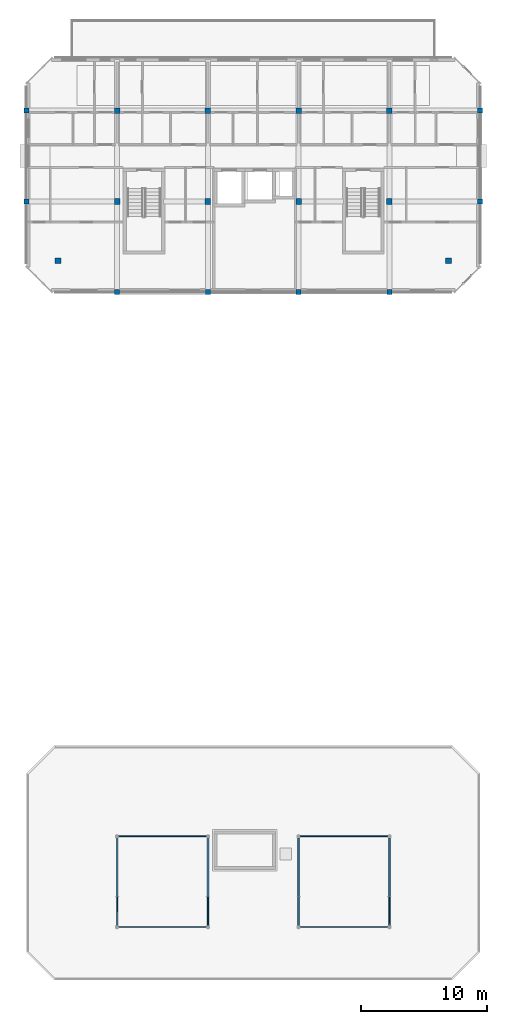
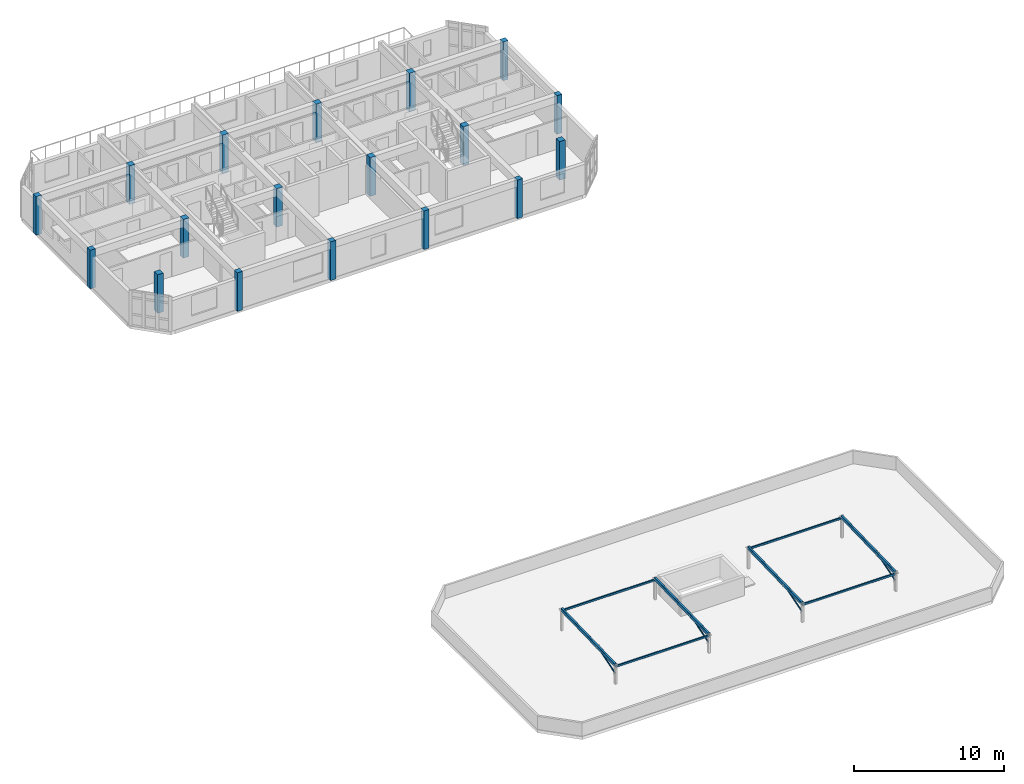
# One storey, part 3 of 16: 18 columns, 12 members.
"""IFC4 building model written with IfcOpenShell, lengths in metres."""

from ifc_helpers import new_model, si_unit, direction, frame, origin, origin_2d, place, context, subcontext, project, spatial, rectangle, hollow_rectangle, extrude, material, material_profile, profile_set, type_object, element, save


model = new_model("IFC4")

# Units and contexts
model_context = context("Model", 3, precision=1e-05, world=origin(), true_north=direction((0.0, 1.0)))
body_context = subcontext(model_context, "Body", "Model", "MODEL_VIEW")
ifc_project = project(units=[si_unit("LENGTHUNIT", "METRE"), si_unit("AREAUNIT", "SQUARE_METRE"), si_unit("VOLUMEUNIT", "CUBIC_METRE"), si_unit("PLANEANGLEUNIT", "RADIAN"), si_unit("MASSUNIT", "GRAM", prefix="KILO")], contexts=[model_context])

# Site, building, storey
site_placement = place(None, origin())
site = spatial("IfcSite", under=ifc_project, at=site_placement, CompositionType="ELEMENT")
building_placement = place(site_placement, origin())
building = spatial("IfcBuilding", under=site, at=building_placement, Name="Ochrevale Crest", CompositionType="ELEMENT")
storey_placement = place(building_placement, frame((0.0, 0.0, 46.5)))
storey = spatial("IfcBuildingStorey", under=building, at=storey_placement, Name="L14", CompositionType="ELEMENT", Elevation=46.5)

# Columns
ifc_material_1 = material(Name="Precast concrete C40/50", Category="concrete")
ifc_material_profile_1 = material_profile(ifc_material_1, rectangle(XDim=0.39990234375, YDim=0.39990234375, at=origin_2d()), Name="RC 400x400")
ifc_profile_set_1 = profile_set([ifc_material_profile_1], Name="Precast concrete C40/50")
column_type_1 = type_object("IfcColumnType", Name="COL-RC400x400", PredefinedType="COLUMN", material=ifc_profile_set_1)
for number, where, z_axis, x_axis, name in (
    (1, (129.60009765625, 79.199951171875, 0.0), (0.0, 0.0, 1.0), (1.0, 0.0, 0.0), "Block D L14 column (129.6,79.2)"),
    (2, (129.60009765625, 86.39990234375, 0.0), (0.0, 0.0, 1.0), (1.0, 0.0, 0.0), "Block D L14 column (129.6,86.4)"),
    (3, (136.800048828125, 72.0, 0.0), (0.0, 0.0, 1.0), (1.0, 0.0, 0.0), "Block D L14 column (136.8,72.0)"),
    (4, (144.0, 72.0, 0.0), (0.0, 0.0, 1.0), (1.0, 0.0, 0.0), "Block D L14 column (144.0,72.0)"),
    (5, (151.199951171875, 72.0, 0.0), (0.0, 0.0, 1.0), (1.0, 0.0, 0.0), "Block D L14 column (151.2,72.0)"),
    (6, (158.39990234375, 72.0, 0.0), (0.0, 0.0, 1.0), (1.0, 0.0, 0.0), "Block D L14 column (158.4,72.0)"),
    (7, (165.60009765625, 79.199951171875, 0.0), (0.0, 0.0, 1.0), (1.0, 0.0, 0.0), "Block D L14 column (165.6,79.2)"),
    (8, (165.60009765625, 86.39990234375, 0.0), (0.0, 0.0, 1.0), (1.0, 0.0, 0.0), "Block D L14 column (165.6,86.4)"),
):
    element("IfcColumn", number, at=place(storey_placement, frame(where, z_axis=z_axis, x_axis=x_axis)), inside=storey, type_object=column_type_1, Name=name, PredefinedType="COLUMN", context=body_context, shape_type="SweptSolid", body=[
        extrude(rectangle(XDim=0.39990234375, YDim=0.39990234375, at=origin_2d()), origin(), (0.0, 0.0, 1.0), 3.14990234375),
    ])
ifc_material_profile_2 = material_profile(ifc_material_1, rectangle(XDim=0.449951171875, YDim=0.449951171875, at=origin_2d()), Name="RC 450x450")
ifc_profile_set_2 = profile_set([ifc_material_profile_2], Name="Precast concrete C40/50")
column_type_2 = type_object("IfcColumnType", Name="COL-RC450x450", PredefinedType="COLUMN", material=ifc_profile_set_2)
for number, where, z_axis, x_axis, name in (
    (9, (132.10009765625, 74.5, 0.0), (0.0, 0.0, 1.0), (1.0, 0.0, 0.0), "Block D L14 column (132.1,74.5)"),
    (10, (136.800048828125, 79.199951171875, 0.0), (0.0, 0.0, 1.0), (1.0, 0.0, 0.0), "Block D L14 column (136.8,79.2)"),
    (11, (136.800048828125, 86.39990234375, 0.0), (0.0, 0.0, 1.0), (1.0, 0.0, 0.0), "Block D L14 column (136.8,86.4)"),
    (12, (144.0, 79.199951171875, 0.0), (0.0, 0.0, 1.0), (1.0, 0.0, 0.0), "Block D L14 column (144.0,79.2)"),
    (13, (144.0, 86.39990234375, 0.0), (0.0, 0.0, 1.0), (1.0, 0.0, 0.0), "Block D L14 column (144.0,86.4)"),
    (14, (151.199951171875, 79.199951171875, 0.0), (0.0, 0.0, 1.0), (1.0, 0.0, 0.0), "Block D L14 column (151.2,79.2)"),
    (15, (151.199951171875, 86.39990234375, 0.0), (0.0, 0.0, 1.0), (1.0, 0.0, 0.0), "Block D L14 column (151.2,86.4)"),
    (16, (158.39990234375, 79.199951171875, 0.0), (0.0, 0.0, 1.0), (1.0, 0.0, 0.0), "Block D L14 column (158.4,79.2)"),
    (17, (158.39990234375, 86.39990234375, 0.0), (0.0, 0.0, 1.0), (1.0, 0.0, 0.0), "Block D L14 column (158.4,86.4)"),
    (18, (163.10009765625, 74.5, 0.0), (0.0, 0.0, 1.0), (1.0, 0.0, 0.0), "Block D L14 column (163.1,74.5)"),
):
    element("IfcColumn", number, at=place(storey_placement, frame(where, z_axis=z_axis, x_axis=x_axis)), inside=storey, type_object=column_type_2, Name=name, PredefinedType="COLUMN", context=body_context, shape_type="SweptSolid", body=[
        extrude(rectangle(XDim=0.449951171875, YDim=0.449951171875, at=origin_2d()), origin(), (0.0, 0.0, 1.0), 3.14990234375),
    ])

# Members
ifc_material_2 = material(Name="Steel S355", Category="steel")
ifc_material_profile_3 = material_profile(ifc_material_2, hollow_rectangle(XDim=0.10009765625, YDim=0.14990234375, WallThickness=0.0048828125, InnerFilletRadius=0.0048828125, OuterFilletRadius=0.010009765625, at=origin_2d()), Name="150x100x5.0RHS")
ifc_profile_set_3 = profile_set([ifc_material_profile_3], Name="Steel S355")
member_type_1 = type_object("IfcMemberType", Name="MEM-RHS150-PR", PredefinedType="PURLIN", material=ifc_profile_set_3)
for number, where, z_axis, x_axis, name in (
    (19, (136.800048828125, 21.60009765625, 1.43994140625), (1.0, 0.0, 0.0), (0.0, 1.0, 0.0), "Block C solar-frame purlin W"),
    (20, (136.800048828125, 28.800048828125, 1.6201171875), (1.0, 0.0, 0.0), (0.0, 1.0, 0.0), "Block C solar-frame purlin W"),
    (21, (151.199951171875, 21.60009765625, 1.43994140625), (1.0, 0.0, 0.0), (0.0, 1.0, 0.0), "Block C solar-frame purlin E"),
    (22, (151.199951171875, 28.800048828125, 1.6201171875), (1.0, 0.0, 0.0), (0.0, 1.0, 0.0), "Block C solar-frame purlin E"),
):
    element("IfcMember", number, at=place(storey_placement, frame(where, z_axis=z_axis, x_axis=x_axis)), inside=storey, type_object=member_type_1, Name=name, PredefinedType="PURLIN", context=body_context, shape_type="SweptSolid", body=[
        extrude(hollow_rectangle(XDim=0.10009765625, YDim=0.14990234375, WallThickness=0.0048828125, InnerFilletRadius=0.0048828125, OuterFilletRadius=0.010009765625, at=origin_2d()), origin(), (0.0, 0.0, 1.0), 7.199951171875),
    ])
ifc_material_profile_4 = material_profile(ifc_material_2, hollow_rectangle(XDim=0.14990234375, YDim=0.25, WallThickness=0.006103515625, InnerFilletRadius=0.006103515625, OuterFilletRadius=0.011962890625, at=origin_2d()), Name="250x150x6.0RHS")
ifc_profile_set_4 = profile_set([ifc_material_profile_4], Name="Steel S355")
member_type_2 = type_object("IfcMemberType", Name="MEM-RHS250-RF", PredefinedType="RAFTER", material=ifc_profile_set_4)
for number, where, z_axis, x_axis, name in (
    (23, (136.800048828125, 21.60009765625, 1.52001953125), (0.0, 0.999614603568, 0.027760481514), (-1.0, 0.0, 0.0), "Block C solar-frame array rafter 1"),
    (24, (144.0, 21.60009765625, 1.52001953125), (0.0, 0.999614603568, 0.027760481514), (-1.0, 0.0, 0.0), "Block C solar-frame array rafter 2"),
    (25, (151.199951171875, 21.60009765625, 1.52001953125), (0.0, 0.999614603568, 0.027760481514), (-1.0, 0.0, 0.0), "Block C solar-frame array rafter 3"),
    (26, (158.39990234375, 21.60009765625, 1.52001953125), (0.0, 0.999614603568, 0.027760481514), (-1.0, 0.0, 0.0), "Block C solar-frame array rafter 4"),
):
    element("IfcMember", number, at=place(storey_placement, frame(where, z_axis=z_axis, x_axis=x_axis)), inside=storey, type_object=member_type_2, Name=name, PredefinedType="RAFTER", context=body_context, shape_type="SweptSolid", body=[
        extrude(hollow_rectangle(XDim=0.14990234375, YDim=0.25, WallThickness=0.006103515625, InnerFilletRadius=0.006103515625, OuterFilletRadius=0.011962890625, at=origin_2d()), origin(), (0.0, 0.0, 1.0), 7.20263671875),
    ])
ifc_material_profile_5 = material_profile(ifc_material_2, hollow_rectangle(XDim=0.074951171875, YDim=0.074951171875, WallThickness=0.0048828125, InnerFilletRadius=0.0048828125, OuterFilletRadius=0.010009765625, at=origin_2d()), Name="75x75x5.0SHS")
ifc_profile_set_5 = profile_set([ifc_material_profile_5], Name="Steel S355")
member_type_3 = type_object("IfcMemberType", Name="MEM-SHS75-ST", PredefinedType="STRUT", material=ifc_profile_set_5)
for number, where, z_axis, x_axis, name in (
    (27, (136.800048828125, 21.669921875, 0.85009765625), (0.0, 0.953694355567, 0.300777452877), (-1.0, 0.0, 0.0), "Block C solar-frame knee-brace strut 1"),
    (28, (144.0, 21.669921875, 0.85009765625), (0.0, 0.953694355567, 0.300777452877), (-1.0, 0.0, 0.0), "Block C solar-frame knee-brace strut 2"),
    (29, (151.199951171875, 21.669921875, 0.85009765625), (0.0, 0.953694355567, 0.300777452877), (-1.0, 0.0, 0.0), "Block C solar-frame knee-brace strut 3"),
    (30, (158.39990234375, 21.669921875, 0.85009765625), (0.0, 0.953694355567, 0.300777452877), (-1.0, 0.0, 0.0), "Block C solar-frame knee-brace strut 4"),
):
    element("IfcMember", number, at=place(storey_placement, frame(where, z_axis=z_axis, x_axis=x_axis)), inside=storey, type_object=member_type_3, Name=name, PredefinedType="STRUT", context=body_context, shape_type="SweptSolid", body=[
        extrude(hollow_rectangle(XDim=0.074951171875, YDim=0.074951171875, WallThickness=0.0048828125, InnerFilletRadius=0.0048828125, OuterFilletRadius=0.010009765625, at=origin_2d()), origin(), (0.0, 0.0, 1.0), 2.443115234375),
    ])

save(model, "model.ifc")
